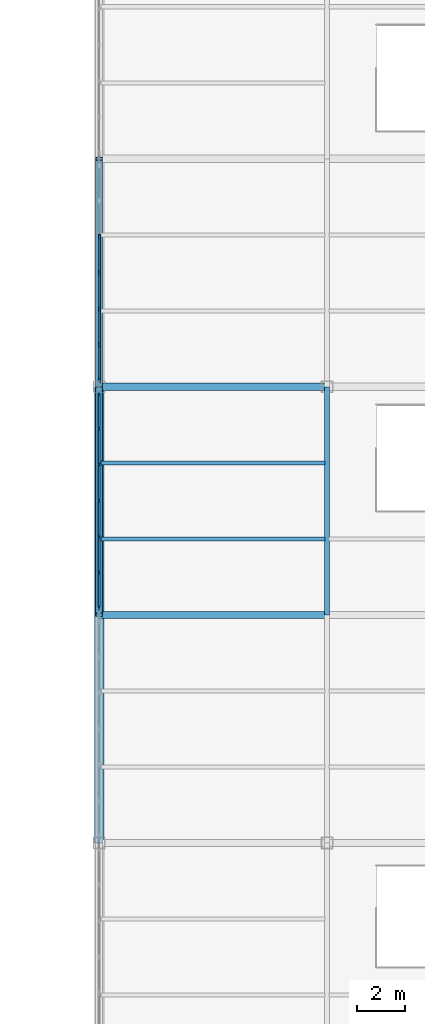
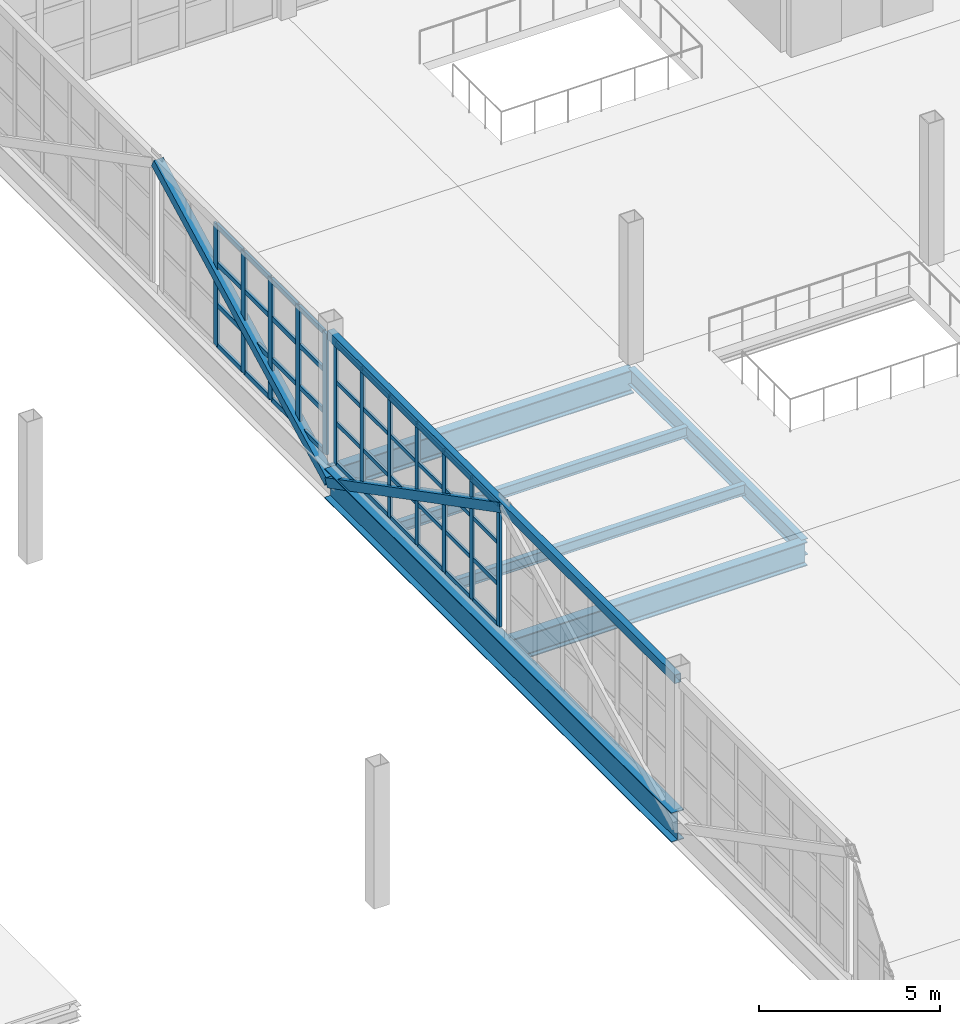
# One storey, part 50 of 120: 55 members, 6 beams, 2 elements without a shape of their own.
"""IFC4 building model written with IfcOpenShell, lengths in metres."""

from ifc_helpers import new_model, si_unit, direction, frame, origin, origin_2d, place, context, subcontext, project, spatial, rectangle, hollow_rectangle, i_section, extrude, material, layer, layer_set, material_profile, profile_set, type_object, element, aggregate, save


model = new_model("IFC4")

# Units and contexts
model_context = context("Model", 3, precision=1e-05, world=origin(), true_north=direction((0.0, 1.0)))
body_context = subcontext(model_context, "Body", "Model", "MODEL_VIEW")
ifc_project = project(units=[si_unit("LENGTHUNIT", "METRE"), si_unit("AREAUNIT", "SQUARE_METRE"), si_unit("VOLUMEUNIT", "CUBIC_METRE"), si_unit("PLANEANGLEUNIT", "RADIAN"), si_unit("MASSUNIT", "GRAM", prefix="KILO")], contexts=[model_context])

# Site, building, storey
site_placement = place(None, origin())
site = spatial("IfcSite", under=ifc_project, at=site_placement, CompositionType="ELEMENT")
building_placement = place(site_placement, origin())
building = spatial("IfcBuilding", under=site, at=building_placement, Name="Zarnetskaya Central Station", CompositionType="ELEMENT")
storey_placement = place(building_placement, frame((0.0, 0.0, 5.39990234375)))
storey = spatial("IfcBuildingStorey", under=building, at=storey_placement, Name="L01", CompositionType="ELEMENT", Elevation=5.39990234375)

# Beams
ifc_material_1 = material(Name="Steel S355", Category="steel")
ifc_material_profile_1 = material_profile(ifc_material_1, i_section(OverallWidth=0.169921875, OverallDepth=0.360107421875, WebThickness=0.008056640625, FlangeThickness=0.0126953125, FilletRadius=0.01806640625, at=origin_2d()), Name="IPE 360")
ifc_profile_set_1 = profile_set([ifc_material_profile_1], Name="Steel S355")
beam_type_1 = type_object("IfcBeamType", Name="BM-SEC-360", PredefinedType="BEAM", material=ifc_profile_set_1)
for number, where, z_axis, x_axis, name in (
    (1, (67.280029296875, 99.199951171875, -0.4599609375), (1.0, 0.0, 0.0), (0.0, 1.0, 0.0), "Secondary floor beam SEC-L01-Z512-HJ-1213-1"),
    (2, (67.280029296875, 102.39990234375, -0.4599609375), (1.0, 0.0, 0.0), (0.0, 1.0, 0.0), "Secondary floor beam SEC-L01-Z512-HJ-1213-2"),
):
    element("IfcBeam", number, at=place(storey_placement, frame(where, z_axis=z_axis, x_axis=x_axis)), inside=storey, type_object=beam_type_1, Name=name, PredefinedType="BEAM", context=body_context, shape_type="SweptSolid", body=[
        extrude(i_section(OverallWidth=0.169921875, OverallDepth=0.360107421875, WebThickness=0.008056640625, FlangeThickness=0.0126953125, FilletRadius=0.01806640625, at=origin_2d()), origin(), (0.0, 0.0, 1.0), 9.43994140625),
    ])

# Curtain wall, members
ifc_material_2 = material(Name="Low-E insulated glass", Category="glass")
ifc_layer = layer(ifc_material_2, 0.172119140625, Name="Low-E insulated glass", Category="glass")
ifc_layer_set = layer_set([ifc_layer], Name="Low-E insulated glass")
curtain_wall_type = type_object("IfcCurtainWallType", Name="CW-SYS-09", PredefinedType="USERDEFINED", material=ifc_layer_set)
curtain_wall_1_placement = place(storey_placement, origin())
curtain_wall_1 = element("IfcCurtainWall", 3, at=curtain_wall_1_placement, inside=storey, type_object=curtain_wall_type, Name="Curtain wall CW-L01-149", ObjectType="CURTAIN WALL", PredefinedType="USERDEFINED")
ifc_material_3 = material(Name="Anodised aluminium", Category="aluminium")
ifc_material_profile_2 = material_profile(ifc_material_3, rectangle(XDim=0.070068359375, YDim=0.179931640625, at=origin_2d()), Name="ALU MULL 70x180")
ifc_profile_set_2 = profile_set([ifc_material_profile_2], Name="Anodised aluminium")
member_type_1 = type_object("IfcMemberType", Name="CW-MULL-180", PredefinedType="MULLION", material=ifc_profile_set_2)
member_1_placement = place(storey_placement, frame((67.199951171875, 96.284912109375, 0.0), z_axis=(0.0, 0.0, 1.0), x_axis=(-1.0, 0.0, 0.0)))
member_1 = element("IfcMember", 4, at=member_1_placement, type_object=member_type_1, Name="CW-07 mullion 1", PredefinedType="MULLION", context=body_context, shape_type="SweptSolid", body=[
    extrude(rectangle(XDim=0.070068359375, YDim=0.179931640625, at=origin_2d()), origin(), (0.0, 0.0, 1.0), 4.10009765625),
])
member_2_placement = place(storey_placement, frame((67.199951171875, 97.7666015625, 0.0), z_axis=(0.0, 0.0, 1.0), x_axis=(-1.0, 0.0, 0.0)))
member_2 = element("IfcMember", 5, at=member_2_placement, type_object=member_type_1, Name="CW-07 mullion 2", PredefinedType="MULLION", context=body_context, shape_type="SweptSolid", body=[
    extrude(rectangle(XDim=0.070068359375, YDim=0.179931640625, at=origin_2d()), origin(), (0.0, 0.0, 1.0), 4.10009765625),
])
member_3_placement = place(storey_placement, frame((67.199951171875, 99.283447265625, 0.0), z_axis=(0.0, 0.0, 1.0), x_axis=(-1.0, 0.0, 0.0)))
member_3 = element("IfcMember", 6, at=member_3_placement, type_object=member_type_1, Name="CW-07 mullion 3", PredefinedType="MULLION", context=body_context, shape_type="SweptSolid", body=[
    extrude(rectangle(XDim=0.070068359375, YDim=0.179931640625, at=origin_2d()), origin(), (0.0, 0.0, 1.0), 4.10009765625),
])
member_4_placement = place(storey_placement, frame((67.199951171875, 100.800048828125, 0.0), z_axis=(0.0, 0.0, 1.0), x_axis=(-1.0, 0.0, 0.0)))
member_4 = element("IfcMember", 7, at=member_4_placement, type_object=member_type_1, Name="CW-07 mullion 4", PredefinedType="MULLION", context=body_context, shape_type="SweptSolid", body=[
    extrude(rectangle(XDim=0.070068359375, YDim=0.179931640625, at=origin_2d()), origin(), (0.0, 0.0, 1.0), 4.10009765625),
])
member_5_placement = place(storey_placement, frame((67.199951171875, 102.316650390625, 0.0), z_axis=(0.0, 0.0, 1.0), x_axis=(-1.0, 0.0, 0.0)))
member_5 = element("IfcMember", 8, at=member_5_placement, type_object=member_type_1, Name="CW-07 mullion 5", PredefinedType="MULLION", context=body_context, shape_type="SweptSolid", body=[
    extrude(rectangle(XDim=0.070068359375, YDim=0.179931640625, at=origin_2d()), origin(), (0.0, 0.0, 1.0), 4.10009765625),
])
member_6_placement = place(storey_placement, frame((67.199951171875, 103.833251953125, 0.0), z_axis=(0.0, 0.0, 1.0), x_axis=(-1.0, 0.0, 0.0)))
member_6 = element("IfcMember", 9, at=member_6_placement, type_object=member_type_1, Name="CW-07 mullion 6", PredefinedType="MULLION", context=body_context, shape_type="SweptSolid", body=[
    extrude(rectangle(XDim=0.070068359375, YDim=0.179931640625, at=origin_2d()), origin(), (0.0, 0.0, 1.0), 4.10009765625),
])
member_7_placement = place(storey_placement, frame((67.199951171875, 105.31494140625, 0.0), z_axis=(0.0, 0.0, 1.0), x_axis=(-1.0, 0.0, 0.0)))
member_7 = element("IfcMember", 10, at=member_7_placement, type_object=member_type_1, Name="CW-07 mullion 7", PredefinedType="MULLION", context=body_context, shape_type="SweptSolid", body=[
    extrude(rectangle(XDim=0.070068359375, YDim=0.179931640625, at=origin_2d()), origin(), (0.0, 0.0, 1.0), 4.10009765625),
])

curtain_wall_2_placement = place(storey_placement, origin())
curtain_wall_2 = element("IfcCurtainWall", 11, at=curtain_wall_2_placement, inside=storey, type_object=curtain_wall_type, Name="Curtain wall CW-L01-150", ObjectType="CURTAIN WALL", PredefinedType="USERDEFINED")
ifc_material_profile_3 = material_profile(ifc_material_3, rectangle(XDim=0.080078125, YDim=0.219970703125, at=origin_2d()), Name="ALU MULL 80x220")
ifc_profile_set_3 = profile_set([ifc_material_profile_3], Name="Anodised aluminium")
member_type_2 = type_object("IfcMemberType", Name="CW-MULL-220", PredefinedType="MULLION", material=ifc_profile_set_3)
member_8_placement = place(storey_placement, frame((67.199951171875, 105.889892578125, 0.0), z_axis=(0.0, 0.0, 1.0), x_axis=(-1.0, 0.0, 0.0)))
member_8 = element("IfcMember", 12, at=member_8_placement, type_object=member_type_2, Name="CW-07 mullion 1", PredefinedType="MULLION", context=body_context, shape_type="SweptSolid", body=[
    extrude(rectangle(XDim=0.080078125, YDim=0.219970703125, at=origin_2d()), origin(), (0.0, 0.0, 1.0), 4.10009765625),
])
member_9_placement = place(storey_placement, frame((67.199951171875, 107.36669921875, 0.0), z_axis=(0.0, 0.0, 1.0), x_axis=(-1.0, 0.0, 0.0)))
member_9 = element("IfcMember", 13, at=member_9_placement, type_object=member_type_2, Name="CW-07 mullion 2", PredefinedType="MULLION", context=body_context, shape_type="SweptSolid", body=[
    extrude(rectangle(XDim=0.080078125, YDim=0.219970703125, at=origin_2d()), origin(), (0.0, 0.0, 1.0), 4.10009765625),
])
member_10_placement = place(storey_placement, frame((67.199951171875, 108.88330078125, 0.0), z_axis=(0.0, 0.0, 1.0), x_axis=(-1.0, 0.0, 0.0)))
member_10 = element("IfcMember", 14, at=member_10_placement, type_object=member_type_2, Name="CW-07 mullion 3", PredefinedType="MULLION", context=body_context, shape_type="SweptSolid", body=[
    extrude(rectangle(XDim=0.080078125, YDim=0.219970703125, at=origin_2d()), origin(), (0.0, 0.0, 1.0), 4.10009765625),
])
member_11_placement = place(storey_placement, frame((67.199951171875, 110.39990234375, 0.0), z_axis=(0.0, 0.0, 1.0), x_axis=(-1.0, 0.0, 0.0)))
member_11 = element("IfcMember", 15, at=member_11_placement, type_object=member_type_2, Name="CW-07 mullion 4", PredefinedType="MULLION", context=body_context, shape_type="SweptSolid", body=[
    extrude(rectangle(XDim=0.080078125, YDim=0.219970703125, at=origin_2d()), origin(), (0.0, 0.0, 1.0), 4.10009765625),
])
member_12_placement = place(storey_placement, frame((67.199951171875, 111.916748046875, 0.0), z_axis=(0.0, 0.0, 1.0), x_axis=(-1.0, 0.0, 0.0)))
member_12 = element("IfcMember", 16, at=member_12_placement, type_object=member_type_2, Name="CW-07 mullion 5", PredefinedType="MULLION", context=body_context, shape_type="SweptSolid", body=[
    extrude(rectangle(XDim=0.080078125, YDim=0.219970703125, at=origin_2d()), origin(), (0.0, 0.0, 1.0), 4.10009765625),
])

# Member
ifc_material_profile_4 = material_profile(ifc_material_3, rectangle(XDim=0.070068359375, YDim=0.139892578125, at=origin_2d()), Name="ALU TRAN 70x140")
ifc_profile_set_4 = profile_set([ifc_material_profile_4], Name="Anodised aluminium")
member_type_3 = type_object("IfcMemberType", Name="CW-TRAN-140", PredefinedType="USERDEFINED", material=ifc_profile_set_4)
member_13_placement = place(storey_placement, frame((67.199951171875, 96.320068359375, 0.03515625), z_axis=(0.0, 1.0, 0.0), x_axis=(-1.0, 0.0, 0.0)))
member_13 = element("IfcMember", 17, at=member_13_placement, type_object=member_type_3, Name="CW-07 transom 1.1", ObjectType="TRANSOM", PredefinedType="USERDEFINED", context=body_context, shape_type="SweptSolid", body=[
    extrude(rectangle(XDim=0.070068359375, YDim=0.139892578125, at=origin_2d()), origin(), (0.0, 0.0, 1.0), 1.41162109375),
])

member_14_placement = place(storey_placement, frame((67.199951171875, 96.320068359375, 1.39404296875), z_axis=(0.0, 1.0, 0.0), x_axis=(-1.0, 0.0, 0.0)))
member_14 = element("IfcMember", 18, at=member_14_placement, type_object=member_type_3, Name="CW-07 transom 1.2", ObjectType="TRANSOM", PredefinedType="USERDEFINED", context=body_context, shape_type="SweptSolid", body=[
    extrude(rectangle(XDim=0.070068359375, YDim=0.139892578125, at=origin_2d()), origin(), (0.0, 0.0, 1.0), 1.41162109375),
])

member_15_placement = place(storey_placement, frame((67.199951171875, 96.320068359375, 2.7880859375), z_axis=(0.0, 1.0, 0.0), x_axis=(-1.0, 0.0, 0.0)))
member_15 = element("IfcMember", 19, at=member_15_placement, type_object=member_type_3, Name="CW-07 transom 1.3", ObjectType="TRANSOM", PredefinedType="USERDEFINED", context=body_context, shape_type="SweptSolid", body=[
    extrude(rectangle(XDim=0.070068359375, YDim=0.139892578125, at=origin_2d()), origin(), (0.0, 0.0, 1.0), 1.41162109375),
])

member_16_placement = place(storey_placement, frame((67.199951171875, 96.320068359375, 4.065185546875), z_axis=(0.0, 1.0, 0.0), x_axis=(-1.0, 0.0, 0.0)))
member_16 = element("IfcMember", 20, at=member_16_placement, type_object=member_type_3, Name="CW-07 transom 1.4", ObjectType="TRANSOM", PredefinedType="USERDEFINED", context=body_context, shape_type="SweptSolid", body=[
    extrude(rectangle(XDim=0.070068359375, YDim=0.139892578125, at=origin_2d()), origin(), (0.0, 0.0, 1.0), 1.41162109375),
])

member_17_placement = place(storey_placement, frame((67.199951171875, 97.8017578125, 0.03515625), z_axis=(0.0, 1.0, 0.0), x_axis=(-1.0, 0.0, 0.0)))
member_17 = element("IfcMember", 21, at=member_17_placement, type_object=member_type_3, Name="CW-07 transom 2.1", ObjectType="TRANSOM", PredefinedType="USERDEFINED", context=body_context, shape_type="SweptSolid", body=[
    extrude(rectangle(XDim=0.070068359375, YDim=0.139892578125, at=origin_2d()), origin(), (0.0, 0.0, 1.0), 1.446533203125),
])

member_18_placement = place(storey_placement, frame((67.199951171875, 97.8017578125, 1.39404296875), z_axis=(0.0, 1.0, 0.0), x_axis=(-1.0, 0.0, 0.0)))
member_18 = element("IfcMember", 22, at=member_18_placement, type_object=member_type_3, Name="CW-07 transom 2.2", ObjectType="TRANSOM", PredefinedType="USERDEFINED", context=body_context, shape_type="SweptSolid", body=[
    extrude(rectangle(XDim=0.070068359375, YDim=0.139892578125, at=origin_2d()), origin(), (0.0, 0.0, 1.0), 1.446533203125),
])

member_19_placement = place(storey_placement, frame((67.199951171875, 97.8017578125, 2.7880859375), z_axis=(0.0, 1.0, 0.0), x_axis=(-1.0, 0.0, 0.0)))
member_19 = element("IfcMember", 23, at=member_19_placement, type_object=member_type_3, Name="CW-07 transom 2.3", ObjectType="TRANSOM", PredefinedType="USERDEFINED", context=body_context, shape_type="SweptSolid", body=[
    extrude(rectangle(XDim=0.070068359375, YDim=0.139892578125, at=origin_2d()), origin(), (0.0, 0.0, 1.0), 1.446533203125),
])

member_20_placement = place(storey_placement, frame((67.199951171875, 97.8017578125, 4.065185546875), z_axis=(0.0, 1.0, 0.0), x_axis=(-1.0, 0.0, 0.0)))
member_20 = element("IfcMember", 24, at=member_20_placement, type_object=member_type_3, Name="CW-07 transom 2.4", ObjectType="TRANSOM", PredefinedType="USERDEFINED", context=body_context, shape_type="SweptSolid", body=[
    extrude(rectangle(XDim=0.070068359375, YDim=0.139892578125, at=origin_2d()), origin(), (0.0, 0.0, 1.0), 1.446533203125),
])

member_21_placement = place(storey_placement, frame((67.199951171875, 99.318359375, 0.03515625), z_axis=(0.0, 1.0, 0.0), x_axis=(-1.0, 0.0, 0.0)))
member_21 = element("IfcMember", 25, at=member_21_placement, type_object=member_type_3, Name="CW-07 transom 3.1", ObjectType="TRANSOM", PredefinedType="USERDEFINED", context=body_context, shape_type="SweptSolid", body=[
    extrude(rectangle(XDim=0.070068359375, YDim=0.139892578125, at=origin_2d()), origin(), (0.0, 0.0, 1.0), 1.446533203125),
])

member_22_placement = place(storey_placement, frame((67.199951171875, 99.318359375, 1.39404296875), z_axis=(0.0, 1.0, 0.0), x_axis=(-1.0, 0.0, 0.0)))
member_22 = element("IfcMember", 26, at=member_22_placement, type_object=member_type_3, Name="CW-07 transom 3.2", ObjectType="TRANSOM", PredefinedType="USERDEFINED", context=body_context, shape_type="SweptSolid", body=[
    extrude(rectangle(XDim=0.070068359375, YDim=0.139892578125, at=origin_2d()), origin(), (0.0, 0.0, 1.0), 1.446533203125),
])

member_23_placement = place(storey_placement, frame((67.199951171875, 99.318359375, 2.7880859375), z_axis=(0.0, 1.0, 0.0), x_axis=(-1.0, 0.0, 0.0)))
member_23 = element("IfcMember", 27, at=member_23_placement, type_object=member_type_3, Name="CW-07 transom 3.3", ObjectType="TRANSOM", PredefinedType="USERDEFINED", context=body_context, shape_type="SweptSolid", body=[
    extrude(rectangle(XDim=0.070068359375, YDim=0.139892578125, at=origin_2d()), origin(), (0.0, 0.0, 1.0), 1.446533203125),
])

member_24_placement = place(storey_placement, frame((67.199951171875, 99.318359375, 4.065185546875), z_axis=(0.0, 1.0, 0.0), x_axis=(-1.0, 0.0, 0.0)))
member_24 = element("IfcMember", 28, at=member_24_placement, type_object=member_type_3, Name="CW-07 transom 3.4", ObjectType="TRANSOM", PredefinedType="USERDEFINED", context=body_context, shape_type="SweptSolid", body=[
    extrude(rectangle(XDim=0.070068359375, YDim=0.139892578125, at=origin_2d()), origin(), (0.0, 0.0, 1.0), 1.446533203125),
])

member_25_placement = place(storey_placement, frame((67.199951171875, 100.8349609375, 0.03515625), z_axis=(0.0, 1.0, 0.0), x_axis=(-1.0, 0.0, 0.0)))
member_25 = element("IfcMember", 29, at=member_25_placement, type_object=member_type_3, Name="CW-07 transom 4.1", ObjectType="TRANSOM", PredefinedType="USERDEFINED", context=body_context, shape_type="SweptSolid", body=[
    extrude(rectangle(XDim=0.070068359375, YDim=0.139892578125, at=origin_2d()), origin(), (0.0, 0.0, 1.0), 1.44677734375),
])

member_26_placement = place(storey_placement, frame((67.199951171875, 100.8349609375, 1.39404296875), z_axis=(0.0, 1.0, 0.0), x_axis=(-1.0, 0.0, 0.0)))
member_26 = element("IfcMember", 30, at=member_26_placement, type_object=member_type_3, Name="CW-07 transom 4.2", ObjectType="TRANSOM", PredefinedType="USERDEFINED", context=body_context, shape_type="SweptSolid", body=[
    extrude(rectangle(XDim=0.070068359375, YDim=0.139892578125, at=origin_2d()), origin(), (0.0, 0.0, 1.0), 1.44677734375),
])

member_27_placement = place(storey_placement, frame((67.199951171875, 100.8349609375, 2.7880859375), z_axis=(0.0, 1.0, 0.0), x_axis=(-1.0, 0.0, 0.0)))
member_27 = element("IfcMember", 31, at=member_27_placement, type_object=member_type_3, Name="CW-07 transom 4.3", ObjectType="TRANSOM", PredefinedType="USERDEFINED", context=body_context, shape_type="SweptSolid", body=[
    extrude(rectangle(XDim=0.070068359375, YDim=0.139892578125, at=origin_2d()), origin(), (0.0, 0.0, 1.0), 1.44677734375),
])

member_28_placement = place(storey_placement, frame((67.199951171875, 100.8349609375, 4.065185546875), z_axis=(0.0, 1.0, 0.0), x_axis=(-1.0, 0.0, 0.0)))
member_28 = element("IfcMember", 32, at=member_28_placement, type_object=member_type_3, Name="CW-07 transom 4.4", ObjectType="TRANSOM", PredefinedType="USERDEFINED", context=body_context, shape_type="SweptSolid", body=[
    extrude(rectangle(XDim=0.070068359375, YDim=0.139892578125, at=origin_2d()), origin(), (0.0, 0.0, 1.0), 1.44677734375),
])

member_29_placement = place(storey_placement, frame((67.199951171875, 102.3515625, 0.03515625), z_axis=(0.0, 1.0, 0.0), x_axis=(-1.0, 0.0, 0.0)))
member_29 = element("IfcMember", 33, at=member_29_placement, type_object=member_type_3, Name="CW-07 transom 5.1", ObjectType="TRANSOM", PredefinedType="USERDEFINED", context=body_context, shape_type="SweptSolid", body=[
    extrude(rectangle(XDim=0.070068359375, YDim=0.139892578125, at=origin_2d()), origin(), (0.0, 0.0, 1.0), 1.44677734375),
])

member_30_placement = place(storey_placement, frame((67.199951171875, 102.3515625, 1.39404296875), z_axis=(0.0, 1.0, 0.0), x_axis=(-1.0, 0.0, 0.0)))
member_30 = element("IfcMember", 34, at=member_30_placement, type_object=member_type_3, Name="CW-07 transom 5.2", ObjectType="TRANSOM", PredefinedType="USERDEFINED", context=body_context, shape_type="SweptSolid", body=[
    extrude(rectangle(XDim=0.070068359375, YDim=0.139892578125, at=origin_2d()), origin(), (0.0, 0.0, 1.0), 1.44677734375),
])

member_31_placement = place(storey_placement, frame((67.199951171875, 102.3515625, 2.7880859375), z_axis=(0.0, 1.0, 0.0), x_axis=(-1.0, 0.0, 0.0)))
member_31 = element("IfcMember", 35, at=member_31_placement, type_object=member_type_3, Name="CW-07 transom 5.3", ObjectType="TRANSOM", PredefinedType="USERDEFINED", context=body_context, shape_type="SweptSolid", body=[
    extrude(rectangle(XDim=0.070068359375, YDim=0.139892578125, at=origin_2d()), origin(), (0.0, 0.0, 1.0), 1.44677734375),
])

member_32_placement = place(storey_placement, frame((67.199951171875, 102.3515625, 4.065185546875), z_axis=(0.0, 1.0, 0.0), x_axis=(-1.0, 0.0, 0.0)))
member_32 = element("IfcMember", 36, at=member_32_placement, type_object=member_type_3, Name="CW-07 transom 5.4", ObjectType="TRANSOM", PredefinedType="USERDEFINED", context=body_context, shape_type="SweptSolid", body=[
    extrude(rectangle(XDim=0.070068359375, YDim=0.139892578125, at=origin_2d()), origin(), (0.0, 0.0, 1.0), 1.44677734375),
])

member_33_placement = place(storey_placement, frame((67.199951171875, 103.868408203125, 0.03515625), z_axis=(0.0, 1.0, 0.0), x_axis=(-1.0, 0.0, 0.0)))
member_33 = element("IfcMember", 37, at=member_33_placement, type_object=member_type_3, Name="CW-07 transom 6.1", ObjectType="TRANSOM", PredefinedType="USERDEFINED", context=body_context, shape_type="SweptSolid", body=[
    extrude(rectangle(XDim=0.070068359375, YDim=0.139892578125, at=origin_2d()), origin(), (0.0, 0.0, 1.0), 1.41162109375),
])

member_34_placement = place(storey_placement, frame((67.199951171875, 103.868408203125, 1.39404296875), z_axis=(0.0, 1.0, 0.0), x_axis=(-1.0, 0.0, 0.0)))
member_34 = element("IfcMember", 38, at=member_34_placement, type_object=member_type_3, Name="CW-07 transom 6.2", ObjectType="TRANSOM", PredefinedType="USERDEFINED", context=body_context, shape_type="SweptSolid", body=[
    extrude(rectangle(XDim=0.070068359375, YDim=0.139892578125, at=origin_2d()), origin(), (0.0, 0.0, 1.0), 1.41162109375),
])

member_35_placement = place(storey_placement, frame((67.199951171875, 103.868408203125, 2.7880859375), z_axis=(0.0, 1.0, 0.0), x_axis=(-1.0, 0.0, 0.0)))
member_35 = element("IfcMember", 39, at=member_35_placement, type_object=member_type_3, Name="CW-07 transom 6.3", ObjectType="TRANSOM", PredefinedType="USERDEFINED", context=body_context, shape_type="SweptSolid", body=[
    extrude(rectangle(XDim=0.070068359375, YDim=0.139892578125, at=origin_2d()), origin(), (0.0, 0.0, 1.0), 1.41162109375),
])

member_36_placement = place(storey_placement, frame((67.199951171875, 103.868408203125, 4.065185546875), z_axis=(0.0, 1.0, 0.0), x_axis=(-1.0, 0.0, 0.0)))
member_36 = element("IfcMember", 40, at=member_36_placement, type_object=member_type_3, Name="CW-07 transom 6.4", ObjectType="TRANSOM", PredefinedType="USERDEFINED", context=body_context, shape_type="SweptSolid", body=[
    extrude(rectangle(XDim=0.070068359375, YDim=0.139892578125, at=origin_2d()), origin(), (0.0, 0.0, 1.0), 1.41162109375),
])

aggregate(curtain_wall_1, [member_1, member_2, member_3, member_4, member_5, member_6, member_7, member_13, member_14, member_15, member_16, member_17, member_18, member_19, member_20, member_21, member_22, member_23, member_24, member_25, member_26, member_27, member_28, member_29, member_30, member_31, member_32, member_33, member_34, member_35, member_36])

ifc_material_profile_5 = material_profile(ifc_material_3, rectangle(XDim=0.080078125, YDim=0.159912109375, at=origin_2d()), Name="ALU TRAN 80x160")
ifc_profile_set_5 = profile_set([ifc_material_profile_5], Name="Anodised aluminium")
member_type_4 = type_object("IfcMemberType", Name="CW-TRAN-160", PredefinedType="USERDEFINED", material=ifc_profile_set_5)
member_37_placement = place(storey_placement, frame((67.199951171875, 105.929931640625, 0.0400390625), z_axis=(0.0, 1.0, 0.0), x_axis=(-1.0, 0.0, 0.0)))
member_37 = element("IfcMember", 41, at=member_37_placement, type_object=member_type_4, Name="CW-07 transom 1.1", ObjectType="TRANSOM", PredefinedType="USERDEFINED", context=body_context, shape_type="SweptSolid", body=[
    extrude(rectangle(XDim=0.080078125, YDim=0.159912109375, at=origin_2d()), origin(), (0.0, 0.0, 1.0), 1.396728515625),
])

member_38_placement = place(storey_placement, frame((67.199951171875, 105.929931640625, 1.39404296875), z_axis=(0.0, 1.0, 0.0), x_axis=(-1.0, 0.0, 0.0)))
member_38 = element("IfcMember", 42, at=member_38_placement, type_object=member_type_4, Name="CW-07 transom 1.2", ObjectType="TRANSOM", PredefinedType="USERDEFINED", context=body_context, shape_type="SweptSolid", body=[
    extrude(rectangle(XDim=0.080078125, YDim=0.159912109375, at=origin_2d()), origin(), (0.0, 0.0, 1.0), 1.396728515625),
])

member_39_placement = place(storey_placement, frame((67.199951171875, 105.929931640625, 2.7880859375), z_axis=(0.0, 1.0, 0.0), x_axis=(-1.0, 0.0, 0.0)))
member_39 = element("IfcMember", 43, at=member_39_placement, type_object=member_type_4, Name="CW-07 transom 1.3", ObjectType="TRANSOM", PredefinedType="USERDEFINED", context=body_context, shape_type="SweptSolid", body=[
    extrude(rectangle(XDim=0.080078125, YDim=0.159912109375, at=origin_2d()), origin(), (0.0, 0.0, 1.0), 1.396728515625),
])

member_40_placement = place(storey_placement, frame((67.199951171875, 105.929931640625, 4.06005859375), z_axis=(0.0, 1.0, 0.0), x_axis=(-1.0, 0.0, 0.0)))
member_40 = element("IfcMember", 44, at=member_40_placement, type_object=member_type_4, Name="CW-07 transom 1.4", ObjectType="TRANSOM", PredefinedType="USERDEFINED", context=body_context, shape_type="SweptSolid", body=[
    extrude(rectangle(XDim=0.080078125, YDim=0.159912109375, at=origin_2d()), origin(), (0.0, 0.0, 1.0), 1.396728515625),
])

member_41_placement = place(storey_placement, frame((67.199951171875, 107.40673828125, 0.0400390625), z_axis=(0.0, 1.0, 0.0), x_axis=(-1.0, 0.0, 0.0)))
member_41 = element("IfcMember", 45, at=member_41_placement, type_object=member_type_4, Name="CW-07 transom 2.1", ObjectType="TRANSOM", PredefinedType="USERDEFINED", context=body_context, shape_type="SweptSolid", body=[
    extrude(rectangle(XDim=0.080078125, YDim=0.159912109375, at=origin_2d()), origin(), (0.0, 0.0, 1.0), 1.4365234375),
])

member_42_placement = place(storey_placement, frame((67.199951171875, 107.40673828125, 1.39404296875), z_axis=(0.0, 1.0, 0.0), x_axis=(-1.0, 0.0, 0.0)))
member_42 = element("IfcMember", 46, at=member_42_placement, type_object=member_type_4, Name="CW-07 transom 2.2", ObjectType="TRANSOM", PredefinedType="USERDEFINED", context=body_context, shape_type="SweptSolid", body=[
    extrude(rectangle(XDim=0.080078125, YDim=0.159912109375, at=origin_2d()), origin(), (0.0, 0.0, 1.0), 1.4365234375),
])

member_43_placement = place(storey_placement, frame((67.199951171875, 107.40673828125, 2.7880859375), z_axis=(0.0, 1.0, 0.0), x_axis=(-1.0, 0.0, 0.0)))
member_43 = element("IfcMember", 47, at=member_43_placement, type_object=member_type_4, Name="CW-07 transom 2.3", ObjectType="TRANSOM", PredefinedType="USERDEFINED", context=body_context, shape_type="SweptSolid", body=[
    extrude(rectangle(XDim=0.080078125, YDim=0.159912109375, at=origin_2d()), origin(), (0.0, 0.0, 1.0), 1.4365234375),
])

member_44_placement = place(storey_placement, frame((67.199951171875, 107.40673828125, 4.06005859375), z_axis=(0.0, 1.0, 0.0), x_axis=(-1.0, 0.0, 0.0)))
member_44 = element("IfcMember", 48, at=member_44_placement, type_object=member_type_4, Name="CW-07 transom 2.4", ObjectType="TRANSOM", PredefinedType="USERDEFINED", context=body_context, shape_type="SweptSolid", body=[
    extrude(rectangle(XDim=0.080078125, YDim=0.159912109375, at=origin_2d()), origin(), (0.0, 0.0, 1.0), 1.4365234375),
])

member_45_placement = place(storey_placement, frame((67.199951171875, 108.92333984375, 0.0400390625), z_axis=(0.0, 1.0, 0.0), x_axis=(-1.0, 0.0, 0.0)))
member_45 = element("IfcMember", 49, at=member_45_placement, type_object=member_type_4, Name="CW-07 transom 3.1", ObjectType="TRANSOM", PredefinedType="USERDEFINED", context=body_context, shape_type="SweptSolid", body=[
    extrude(rectangle(XDim=0.080078125, YDim=0.159912109375, at=origin_2d()), origin(), (0.0, 0.0, 1.0), 1.436767578125),
])

member_46_placement = place(storey_placement, frame((67.199951171875, 108.92333984375, 1.39404296875), z_axis=(0.0, 1.0, 0.0), x_axis=(-1.0, 0.0, 0.0)))
member_46 = element("IfcMember", 50, at=member_46_placement, type_object=member_type_4, Name="CW-07 transom 3.2", ObjectType="TRANSOM", PredefinedType="USERDEFINED", context=body_context, shape_type="SweptSolid", body=[
    extrude(rectangle(XDim=0.080078125, YDim=0.159912109375, at=origin_2d()), origin(), (0.0, 0.0, 1.0), 1.436767578125),
])

member_47_placement = place(storey_placement, frame((67.199951171875, 108.92333984375, 2.7880859375), z_axis=(0.0, 1.0, 0.0), x_axis=(-1.0, 0.0, 0.0)))
member_47 = element("IfcMember", 51, at=member_47_placement, type_object=member_type_4, Name="CW-07 transom 3.3", ObjectType="TRANSOM", PredefinedType="USERDEFINED", context=body_context, shape_type="SweptSolid", body=[
    extrude(rectangle(XDim=0.080078125, YDim=0.159912109375, at=origin_2d()), origin(), (0.0, 0.0, 1.0), 1.436767578125),
])

member_48_placement = place(storey_placement, frame((67.199951171875, 108.92333984375, 4.06005859375), z_axis=(0.0, 1.0, 0.0), x_axis=(-1.0, 0.0, 0.0)))
member_48 = element("IfcMember", 52, at=member_48_placement, type_object=member_type_4, Name="CW-07 transom 3.4", ObjectType="TRANSOM", PredefinedType="USERDEFINED", context=body_context, shape_type="SweptSolid", body=[
    extrude(rectangle(XDim=0.080078125, YDim=0.159912109375, at=origin_2d()), origin(), (0.0, 0.0, 1.0), 1.436767578125),
])

member_49_placement = place(storey_placement, frame((67.199951171875, 110.43994140625, 0.0400390625), z_axis=(0.0, 1.0, 0.0), x_axis=(-1.0, 0.0, 0.0)))
member_49 = element("IfcMember", 53, at=member_49_placement, type_object=member_type_4, Name="CW-07 transom 4.1", ObjectType="TRANSOM", PredefinedType="USERDEFINED", context=body_context, shape_type="SweptSolid", body=[
    extrude(rectangle(XDim=0.080078125, YDim=0.159912109375, at=origin_2d()), origin(), (0.0, 0.0, 1.0), 1.436767578125),
])

member_50_placement = place(storey_placement, frame((67.199951171875, 110.43994140625, 1.39404296875), z_axis=(0.0, 1.0, 0.0), x_axis=(-1.0, 0.0, 0.0)))
member_50 = element("IfcMember", 54, at=member_50_placement, type_object=member_type_4, Name="CW-07 transom 4.2", ObjectType="TRANSOM", PredefinedType="USERDEFINED", context=body_context, shape_type="SweptSolid", body=[
    extrude(rectangle(XDim=0.080078125, YDim=0.159912109375, at=origin_2d()), origin(), (0.0, 0.0, 1.0), 1.436767578125),
])

member_51_placement = place(storey_placement, frame((67.199951171875, 110.43994140625, 2.7880859375), z_axis=(0.0, 1.0, 0.0), x_axis=(-1.0, 0.0, 0.0)))
member_51 = element("IfcMember", 55, at=member_51_placement, type_object=member_type_4, Name="CW-07 transom 4.3", ObjectType="TRANSOM", PredefinedType="USERDEFINED", context=body_context, shape_type="SweptSolid", body=[
    extrude(rectangle(XDim=0.080078125, YDim=0.159912109375, at=origin_2d()), origin(), (0.0, 0.0, 1.0), 1.436767578125),
])

member_52_placement = place(storey_placement, frame((67.199951171875, 110.43994140625, 4.06005859375), z_axis=(0.0, 1.0, 0.0), x_axis=(-1.0, 0.0, 0.0)))
member_52 = element("IfcMember", 56, at=member_52_placement, type_object=member_type_4, Name="CW-07 transom 4.4", ObjectType="TRANSOM", PredefinedType="USERDEFINED", context=body_context, shape_type="SweptSolid", body=[
    extrude(rectangle(XDim=0.080078125, YDim=0.159912109375, at=origin_2d()), origin(), (0.0, 0.0, 1.0), 1.436767578125),
])

aggregate(curtain_wall_2, [member_8, member_9, member_10, member_11, member_12, member_37, member_38, member_39, member_40, member_41, member_42, member_43, member_44, member_45, member_46, member_47, member_48, member_49, member_50, member_51, member_52])

# Beams
ifc_material_profile_6 = material_profile(ifc_material_1, i_section(OverallWidth=0.300048828125, OverallDepth=0.800048828125, WebThickness=0.017578125, FlangeThickness=0.032958984375, FilletRadius=0.030029296875, at=origin_2d()), Name="HEB 800")
ifc_profile_set_6 = profile_set([ifc_material_profile_6], Name="Steel S355")
beam_type_2 = type_object("IfcBeamType", Name="GD-BRG-800", PredefinedType="USERDEFINED", material=ifc_profile_set_6)
for number, where, z_axis, x_axis, name in (
    (57, (67.199951171875, 96.0, -0.679931640625), (1.0, 0.0, 0.0), (0.0, 1.0, 0.0), "Grid girder GX-L01-12-HJ"),
    (58, (67.199951171875, 105.60009765625, -0.679931640625), (1.0, 0.0, 0.0), (0.0, 1.0, 0.0), "Grid girder GX-L01-13-HJ"),
):
    element("IfcBeam", number, at=place(storey_placement, frame(where, z_axis=z_axis, x_axis=x_axis)), inside=storey, type_object=beam_type_2, Name=name, ObjectType="GIRDER", PredefinedType="USERDEFINED", context=body_context, shape_type="SweptSolid", body=[
        extrude(i_section(OverallWidth=0.300048828125, OverallDepth=0.800048828125, WebThickness=0.017578125, FlangeThickness=0.032958984375, FilletRadius=0.030029296875, at=origin_2d()), origin(), (0.0, 0.0, 1.0), 9.60009765625),
    ])
ifc_material_profile_7 = material_profile(ifc_material_1, i_section(OverallWidth=0.2099609375, OverallDepth=0.550048828125, WebThickness=0.010986328125, FlangeThickness=0.01708984375, FilletRadius=0.02392578125, at=origin_2d()), Name="IPE 550")
ifc_profile_set_7 = profile_set([ifc_material_profile_7], Name="Steel S355")
beam_type_3 = type_object("IfcBeamType", Name="GD-FLR-550", PredefinedType="USERDEFINED", material=ifc_profile_set_7)
beam_1_placement = place(storey_placement, frame((76.800048828125, 96.0, -0.554931640625), z_axis=(0.0, 1.0, 0.0), x_axis=(-1.0, 0.0, 0.0)))
element("IfcBeam", 59, at=beam_1_placement, inside=storey, type_object=beam_type_3, Name="Grid girder GY-L01-J-1213", ObjectType="GIRDER", PredefinedType="USERDEFINED", context=body_context, shape_type="SweptSolid", body=[
    extrude(i_section(OverallWidth=0.2099609375, OverallDepth=0.550048828125, WebThickness=0.010986328125, FlangeThickness=0.01708984375, FilletRadius=0.02392578125, at=origin_2d()), origin(), (0.0, 0.0, 1.0), 9.60009765625),
])
ifc_material_profile_8 = material_profile(ifc_material_1, i_section(OverallWidth=0.39990234375, OverallDepth=1.0, WebThickness=0.02001953125, FlangeThickness=0.031982421875, at=origin_2d()), Name="PG 1000x400x20x32")
ifc_profile_set_8 = profile_set([ifc_material_profile_8], Name="Steel S355")
beam_type_4 = type_object("IfcBeamType", Name="GD-XFER-1000", PredefinedType="USERDEFINED", material=ifc_profile_set_8)
beam_2_placement = place(storey_placement, frame((67.199951171875, 86.39990234375, -0.77978515625), z_axis=(0.0, 1.0, 0.0), x_axis=(-1.0, 0.0, 0.0)))
element("IfcBeam", 60, at=beam_2_placement, inside=storey, type_object=beam_type_4, Name="Transfer truss H 11-13 bottom chord", ObjectType="GIRDER", PredefinedType="USERDEFINED", context=body_context, shape_type="SweptSolid", body=[
    extrude(i_section(OverallWidth=0.39990234375, OverallDepth=1.0, WebThickness=0.02001953125, FlangeThickness=0.031982421875, at=origin_2d()), origin(), (0.0, 0.0, 1.0), 19.2001953125),
])

# Members
ifc_material_profile_9 = material_profile(ifc_material_1, hollow_rectangle(XDim=0.199951171875, YDim=0.300048828125, WallThickness=0.012451171875, at=origin_2d()), Name="RHS 300x200x12.5")
ifc_profile_set_9 = profile_set([ifc_material_profile_9], Name="Steel S355")
member_type_5 = type_object("IfcMemberType", Name="MB-TRUSS-TOP", PredefinedType="CHORD", material=ifc_profile_set_9)
member_53_placement = place(storey_placement, frame((67.199951171875, 86.39990234375, 4.2001953125), z_axis=(0.0, 1.0, 0.0), x_axis=(-1.0, 0.0, 0.0)))
element("IfcMember", 61, at=member_53_placement, inside=storey, type_object=member_type_5, Name="Transfer truss H 11-13 top chord", PredefinedType="CHORD", context=body_context, shape_type="SweptSolid", body=[
    extrude(hollow_rectangle(XDim=0.199951171875, YDim=0.300048828125, WallThickness=0.012451171875, at=origin_2d()), origin(), (0.0, 0.0, 1.0), 19.2001953125),
])
ifc_material_profile_10 = material_profile(ifc_material_1, hollow_rectangle(XDim=0.300048828125, YDim=0.300048828125, WallThickness=0.01611328125, at=origin_2d()), Name="SHS 300x300x16")
ifc_profile_set_10 = profile_set([ifc_material_profile_10], Name="Steel S355")
member_type_6 = type_object("IfcMemberType", Name="MB-XFER-DIAG", PredefinedType="BRACE", material=ifc_profile_set_10)
member_54_placement = place(storey_placement, frame((67.199951171875, 105.60009765625, -0.77978515625), z_axis=(0.0, -0.887673200705, 0.460473982707), x_axis=(1.0, 0.0, 0.0)))
element("IfcMember", 62, at=member_54_placement, inside=storey, type_object=member_type_6, Name="Transfer truss H 11-13 diagonal 2", PredefinedType="BRACE", context=body_context, shape_type="SweptSolid", body=[
    extrude(hollow_rectangle(XDim=0.300048828125, YDim=0.300048828125, WallThickness=0.01611328125, at=origin_2d()), origin(), (0.0, 0.0, 1.0), 10.81494140625),
])
member_55_placement = place(storey_placement, frame((67.199951171875, 105.60009765625, -0.77978515625), z_axis=(0.0, 0.887668413955, 0.460483210189), x_axis=(-1.0, 0.0, 0.0)))
element("IfcMember", 63, at=member_55_placement, inside=storey, type_object=member_type_6, Name="Transfer truss H 13-15 diagonal 1", PredefinedType="BRACE", context=body_context, shape_type="SweptSolid", body=[
    extrude(hollow_rectangle(XDim=0.300048828125, YDim=0.300048828125, WallThickness=0.01611328125, at=origin_2d()), origin(), (0.0, 0.0, 1.0), 10.814697265625),
])

save(model, "model.ifc")
